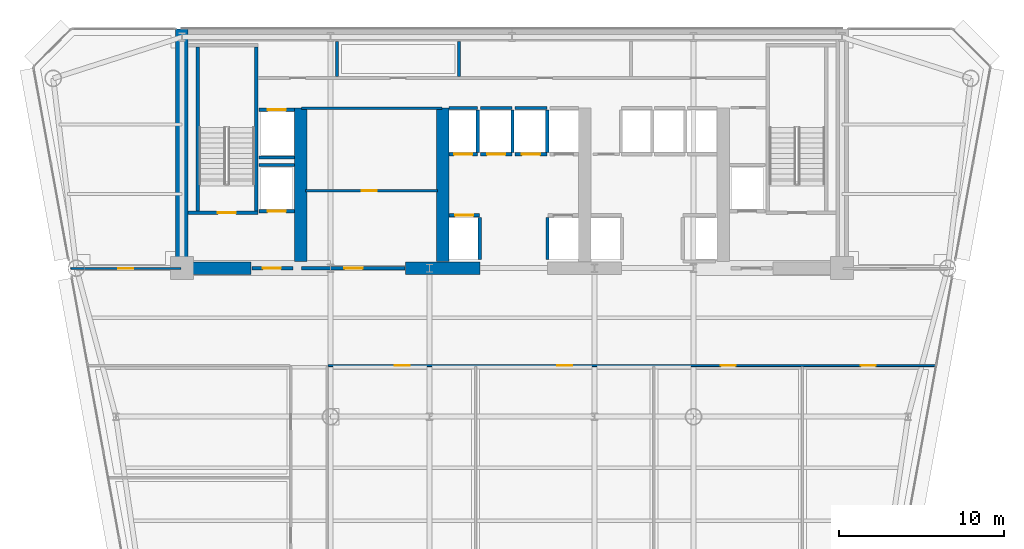
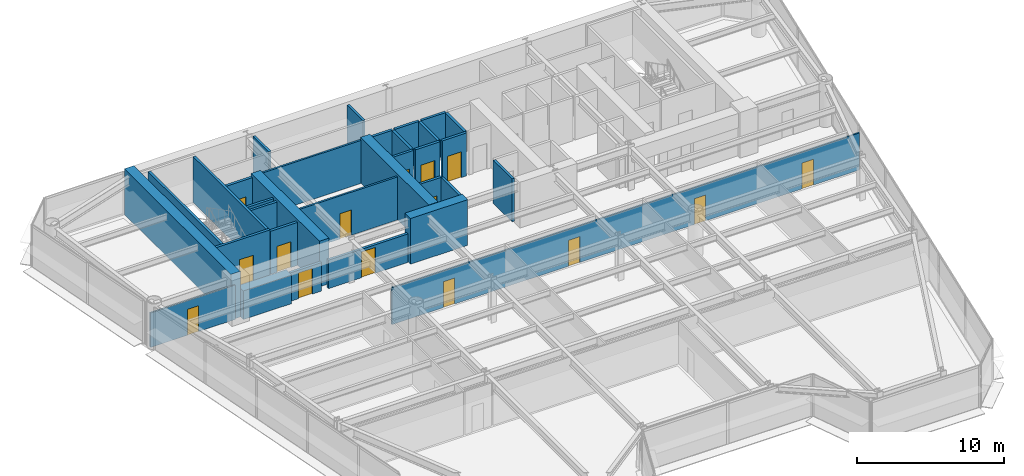
# One storey, part 8 of 14: 32 walls, 15 doors, 15 openings.
"""IFC4 building model written with IfcOpenShell, lengths in metres."""

from ifc_helpers import new_model, si_unit, direction, frame, frame_2d, origin, place, context, subcontext, project, spatial, rectangle, extrude, source, transform, mapped, material, layer, layer_set, type_object, element, fill, save


model = new_model("IFC4")

# Units and contexts
model_context = context("Model", 3, precision=1e-05, world=origin(), true_north=direction((0.0, 1.0)))
body_context = subcontext(model_context, "Body", "Model", "MODEL_VIEW")
ifc_project = project(units=[si_unit("LENGTHUNIT", "METRE"), si_unit("AREAUNIT", "SQUARE_METRE"), si_unit("VOLUMEUNIT", "CUBIC_METRE"), si_unit("PLANEANGLEUNIT", "RADIAN"), si_unit("MASSUNIT", "GRAM", prefix="KILO")], contexts=[model_context])

# Site, building, storey
site_placement = place(None, origin())
site = spatial("IfcSite", under=ifc_project, at=site_placement, CompositionType="ELEMENT")
building_placement = place(site_placement, origin())
building = spatial("IfcBuilding", under=site, at=building_placement, Name="Vaeldorn Concourse Tower", CompositionType="ELEMENT")
storey_placement = place(building_placement, frame((0.0, 0.0, 114.800048828125)))
storey = spatial("IfcBuildingStorey", under=building, at=storey_placement, Name="L29", CompositionType="ELEMENT", Elevation=114.800048828125)

# Walls
ifc_material_1 = material(Name="Concrete C60/75", Category="concrete")
ifc_layer_1 = layer(ifc_material_1, 0.75)
ifc_layer_set_1 = layer_set([ifc_layer_1], Name="Concrete C60/75")
wall_type_1 = type_object("IfcWallType", Name="WL-CORE-750", PredefinedType="SHEAR", material=ifc_layer_set_1)
wall_1_placement = place(storey_placement, frame((14.0, 36.5, 0.0), z_axis=(0.0, 0.0, 1.0), x_axis=(0.0, 1.0, 0.0)))
element("IfcWall", 1, at=wall_1_placement, inside=storey, type_object=wall_type_1, Name="Rear Core Shear Wall L29 W1", PredefinedType="SHEAR", context=body_context, shape_type="SweptSolid", body=[
    extrude(rectangle(XDim=14.5, YDim=0.75, at=frame_2d((7.25, 0.0))), origin(), (0.0, 0.0, 1.0), 3.800048828125),
])
wall_2_placement = place(storey_placement, frame((14.39501953125, 36.5, 0.0), z_axis=(0.0, 0.0, 1.0), x_axis=(1.0, 0.0, 0.0)))
element("IfcWall", 2, at=wall_2_placement, inside=storey, type_object=wall_type_1, Name="Rear Core Shear Wall L29 S1", PredefinedType="SHEAR", context=body_context, shape_type="SweptSolid", body=[
    extrude(rectangle(XDim=3.804931640625, YDim=0.75, at=frame_2d((1.90234375, 0.0))), origin(), (0.0, 0.0, 1.0), 2.3798828125),
])
wall_3_placement = place(storey_placement, frame((27.550048828125, 36.5, 0.0), z_axis=(0.0, 0.0, 1.0), x_axis=(1.0, 0.0, 0.0)))
element("IfcWall", 3, at=wall_3_placement, inside=storey, type_object=wall_type_1, Name="Rear Core Shear Wall L29 S2", PredefinedType="SHEAR", context=body_context, shape_type="SweptSolid", body=[
    extrude(rectangle(XDim=4.5, YDim=0.75, at=frame_2d((2.25, 0.0))), origin(), (0.0, 0.0, 1.0), 3.800048828125),
])
for number, where, z_axis, x_axis, name in (
    (4, (21.199951171875, 36.89501953125, 0.0), (0.0, 0.0, 1.0), (0.0, 1.0, 0.0), "Rear Core Shear Wall L29 M1"),
    (5, (29.800048828125, 36.89501953125, 0.0), (0.0, 0.0, 1.0), (0.0, 1.0, 0.0), "Rear Core Shear Wall L29 M2"),
):
    element("IfcWall", number, at=place(storey_placement, frame(where, z_axis=z_axis, x_axis=x_axis)), inside=storey, type_object=wall_type_1, Name=name, PredefinedType="SHEAR", context=body_context, shape_type="SweptSolid", body=[
        extrude(rectangle(XDim=9.304931640625, YDim=0.75, at=frame_2d((4.65234375, 0.0))), origin(), (0.0, 0.0, 1.0), 3.800048828125),
    ])

# Wall, openings, doors
ifc_material_2 = material(Name="Gypsum Board Partition", Category="gypsum")
ifc_layer_2 = layer(ifc_material_2, 0.1201171875)
ifc_layer_set_2 = layer_set([ifc_layer_2], Name="Gypsum Board Partition")
wall_type_2 = type_object("IfcWallType", Name="WL-PART-120", PredefinedType="PARTITIONING", material=ifc_layer_set_2)
wall_4_placement = place(storey_placement, frame((22.860107421875, 30.60009765625, 0.0), z_axis=(0.0, 0.0, 1.0), x_axis=(1.0, 0.0, 0.0)))
wall_4 = element("IfcWall", 6, at=wall_4_placement, inside=storey, type_object=wall_type_2, Name="Interior Wall PW-L29-C2SE", PredefinedType="PARTITIONING", context=body_context, shape_type="SweptSolid", body=[
    extrude(rectangle(XDim=36.8046875, YDim=0.1201171875, at=frame_2d((18.40234375, 0.0))), origin(), (0.0, 0.0, 1.0), 3.070068359375),
])
opening_1_placement = place(wall_4_placement, frame((4.0400390625, 0.0, 0.0)))
opening_1 = element("IfcOpeningElement", 7, at=opening_1_placement, cuts=wall_4, Name="Opening D-03", PredefinedType="OPENING", context=body_context, shape_type="SweptSolid", body=[
    extrude(rectangle(XDim=0.89990234375, YDim=2.14990234375, at=frame_2d((0.449951171875, 1.074951171875))), frame((0.0, 0.070068359375, 0.0), z_axis=(0.0, -1.0, 0.0), x_axis=(1.0, 0.0, 0.0)), (0.0, 0.0, 1.0), 0.14013671875),
])
opening_2_placement = place(wall_4_placement, frame((13.889892578125, 0.0, 0.0)))
opening_2 = element("IfcOpeningElement", 8, at=opening_2_placement, cuts=wall_4, Name="Opening D-03", PredefinedType="OPENING", context=body_context, shape_type="SweptSolid", body=[
    extrude(rectangle(XDim=0.89990234375, YDim=2.14990234375, at=frame_2d((0.449951171875, 1.074951171875))), frame((0.0, 0.070068359375, 0.0), z_axis=(0.0, -1.0, 0.0), x_axis=(1.0, 0.0, 0.0)), (0.0, 0.0, 1.0), 0.14013671875),
])
opening_3_placement = place(wall_4_placement, frame((23.7900390625, 0.0, 0.0)))
opening_3 = element("IfcOpeningElement", 9, at=opening_3_placement, cuts=wall_4, Name="Opening D-03", PredefinedType="OPENING", context=body_context, shape_type="SweptSolid", body=[
    extrude(rectangle(XDim=0.89990234375, YDim=2.14990234375, at=frame_2d((0.449951171875, 1.074951171875))), frame((0.0, 0.070068359375, 0.0), z_axis=(0.0, -1.0, 0.0), x_axis=(1.0, 0.0, 0.0)), (0.0, 0.0, 1.0), 0.14013671875),
])
opening_4_placement = place(wall_4_placement, frame((32.27197265625, 0.0, 0.0)))
opening_4 = element("IfcOpeningElement", 10, at=opening_4_placement, cuts=wall_4, Name="Opening D-03", PredefinedType="OPENING", context=body_context, shape_type="SweptSolid", body=[
    extrude(rectangle(XDim=0.89990234375, YDim=2.14990234375, at=frame_2d((0.449951171875, 1.074951171875))), frame((0.0, 0.070068359375, 0.0), z_axis=(0.0, -1.0, 0.0), x_axis=(1.0, 0.0, 0.0)), (0.0, 0.0, 1.0), 0.14013671875),
])
ifc_material_3 = material(Name="Acoustic Bronze-Framed Glass Door", Category="glass")
door_type_1 = type_object("IfcDoorType", Name="DR-INT-900", OperationType="NOTDEFINED", PredefinedType="DOOR", material=ifc_material_3)
shared_shape_1 = source(origin(), body_context, "Body", "SweptSolid", [
    extrude(rectangle(XDim=0.89990234375, YDim=2.14990234375, at=frame_2d((0.449951171875, 1.074951171875))), frame((0.0, 0.02490234375, 0.0), z_axis=(0.0, -1.0, 0.0), x_axis=(1.0, 0.0, 0.0)), (0.0, 0.0, 1.0), 0.050048828125),
])
door_1_placement = place(opening_1_placement, origin())
door_1 = element("IfcDoor", 11, at=door_1_placement, inside=storey, type_object=door_type_1, Name="Interior Door DR-L29-Z2E1", OperationType="SINGLE_SWING_RIGHT", OverallHeight=2.14990234375, OverallWidth=0.89990234375, PredefinedType="DOOR", context=body_context, shape_type="MappedRepresentation", body=[
    mapped(shared_shape_1, transform((0.0, 0.0, 0.0), scale=1.0)),
])
fill(opening_1, door_1)
door_2_placement = place(opening_2_placement, origin())
door_2 = element("IfcDoor", 12, at=door_2_placement, inside=storey, type_object=door_type_1, Name="Interior Door DR-L29-Z2E2", OperationType="SINGLE_SWING_LEFT", OverallHeight=2.14990234375, OverallWidth=0.89990234375, PredefinedType="DOOR", context=body_context, shape_type="MappedRepresentation", body=[
    mapped(shared_shape_1, transform((0.0, 0.0, 0.0), scale=1.0)),
])
fill(opening_2, door_2)
door_3_placement = place(opening_3_placement, origin())
door_3 = element("IfcDoor", 13, at=door_3_placement, inside=storey, type_object=door_type_1, Name="Interior Door DR-L29-Z2E3", OperationType="SINGLE_SWING_RIGHT", OverallHeight=2.14990234375, OverallWidth=0.89990234375, PredefinedType="DOOR", context=body_context, shape_type="MappedRepresentation", body=[
    mapped(shared_shape_1, transform((0.0, 0.0, 0.0), scale=1.0)),
])
fill(opening_3, door_3)
door_4_placement = place(opening_4_placement, origin())
door_4 = element("IfcDoor", 14, at=door_4_placement, inside=storey, type_object=door_type_1, Name="Interior Door DR-L29-Z2E4", OperationType="SINGLE_SWING_LEFT", OverallHeight=2.14990234375, OverallWidth=0.89990234375, PredefinedType="DOOR", context=body_context, shape_type="MappedRepresentation", body=[
    mapped(shared_shape_1, transform((0.0, 0.0, 0.0), scale=1.0)),
])
fill(opening_4, door_4)

# Wall, opening, door
wall_5_placement = place(storey_placement, frame((7.270263671875, 36.47998046875, 0.0), z_axis=(0.0, 0.0, 1.0), x_axis=(1.0, 0.0, 0.0)))
wall_5 = element("IfcWall", 15, at=wall_5_placement, inside=storey, type_object=wall_type_2, Name="Interior Wall PW-L29-NWS", PredefinedType="PARTITIONING", context=body_context, shape_type="SweptSolid", body=[
    extrude(rectangle(XDim=6.669677734375, YDim=0.1201171875, at=frame_2d((3.3349609375, 0.0))), origin(), (0.0, 0.0, 1.0), 2.869873046875),
])
opening_5_placement = place(wall_5_placement, frame((2.885009765625, 0.0, 0.0)))
opening_5 = element("IfcOpeningElement", 16, at=opening_5_placement, cuts=wall_5, Name="Opening D-03", PredefinedType="OPENING", context=body_context, shape_type="SweptSolid", body=[
    extrude(rectangle(XDim=0.89990234375, YDim=2.14990234375, at=frame_2d((0.449951171875, 1.074951171875))), frame((0.0, 0.070068359375, 0.0), z_axis=(0.0, -1.0, 0.0), x_axis=(1.0, 0.0, 0.0)), (0.0, 0.0, 1.0), 0.14013671875),
])
door_5_placement = place(opening_5_placement, origin())
door_5 = element("IfcDoor", 17, at=door_5_placement, inside=storey, type_object=door_type_1, Name="Interior Door DR-L29-NWC", OperationType="SINGLE_SWING_LEFT", OverallHeight=2.14990234375, OverallWidth=0.89990234375, PredefinedType="DOOR", context=body_context, shape_type="MappedRepresentation", body=[
    mapped(shared_shape_1, transform((0.0, 0.0, 0.0), scale=1.0)),
])
fill(opening_5, door_5)

# Wall
ifc_layer_3 = layer(ifc_material_2, 0.14990234375)
ifc_layer_set_3 = layer_set([ifc_layer_3], Name="Gypsum Board Partition")
wall_type_3 = type_object("IfcWallType", Name="WL-PART-150", PredefinedType="PARTITIONING", material=ifc_layer_set_3)
wall_6_placement = place(storey_placement, frame((21.25, 46.199951171875, 0.0), z_axis=(0.0, 0.0, 1.0), x_axis=(1.0, 0.0, 0.0)))
element("IfcWall", 18, at=wall_6_placement, inside=storey, type_object=wall_type_3, Name="Interior Wall CW-L29-R1N", PredefinedType="PARTITIONING", context=body_context, shape_type="SweptSolid", body=[
    extrude(rectangle(XDim=8.5, YDim=0.14990234375, at=frame_2d((4.25, 0.0))), origin(), (0.0, 0.0, 1.0), 3.579833984375),
])

# Wall, opening, door
wall_7_placement = place(storey_placement, frame((21.5, 41.199951171875, 0.0), z_axis=(0.0, 0.0, 1.0), x_axis=(1.0, 0.0, 0.0)))
wall_7 = element("IfcWall", 19, at=wall_7_placement, inside=storey, type_object=wall_type_3, Name="Interior Wall CW-L29-R1M", PredefinedType="PARTITIONING", context=body_context, shape_type="SweptSolid", body=[
    extrude(rectangle(XDim=8.0, YDim=0.14990234375, at=frame_2d((4.0, 0.0))), origin(), (0.0, 0.0, 1.0), 3.579833984375),
])
opening_6_placement = place(wall_7_placement, frame((3.39990234375, 0.0, 0.0)))
opening_6 = element("IfcOpeningElement", 20, at=opening_6_placement, cuts=wall_7, Name="Opening D-02", PredefinedType="OPENING", context=body_context, shape_type="SweptSolid", body=[
    extrude(rectangle(XDim=0.89990234375, YDim=2.10009765625, at=frame_2d((0.449951171875, 1.050048828125))), frame((0.0, 0.0849609375, 0.0), z_axis=(0.0, -1.0, 0.0), x_axis=(1.0, 0.0, 0.0)), (0.0, 0.0, 1.0), 0.169921875),
])
ifc_material_4 = material(Name="Fire-Rated Timber Leaf", Category="wood")
door_type_2 = type_object("IfcDoorType", Name="DR-FD30-900", OperationType="NOTDEFINED", PredefinedType="DOOR", material=ifc_material_4)
shared_shape_2 = source(origin(), body_context, "Body", "SweptSolid", [
    extrude(rectangle(XDim=0.89990234375, YDim=2.10009765625, at=frame_2d((0.449951171875, 1.050048828125))), frame((0.0, 0.02490234375, 0.0), z_axis=(0.0, -1.0, 0.0), x_axis=(1.0, 0.0, 0.0)), (0.0, 0.0, 1.0), 0.050048828125),
])
door_6_placement = place(opening_6_placement, origin())
door_6 = element("IfcDoor", 21, at=door_6_placement, inside=storey, type_object=door_type_2, Name="Interior Door DR-L29-R1M", OperationType="SINGLE_SWING_RIGHT", OverallHeight=2.10009765625, OverallWidth=0.89990234375, PredefinedType="DOOR", context=body_context, shape_type="MappedRepresentation", body=[
    mapped(shared_shape_2, transform((0.0, 0.0, 0.0), scale=1.0)),
])
fill(opening_6, door_6)

# Walls
ifc_layer_4 = layer(ifc_material_2, 0.179931640625)
ifc_layer_set_4 = layer_set([ifc_layer_4], Name="Gypsum Board Partition")
wall_type_4 = type_object("IfcWallType", Name="WL-PLUMB-180", PredefinedType="PLUMBINGWALL", material=ifc_layer_set_4)
for number, where, z_axis, x_axis, name in (
    (22, (23.39990234375, 48.10009765625, 0.0), (0.0, 0.0, 1.0), (0.0, 1.0, 0.0), "Interior Wall CW-L29-NDIV1"),
    (23, (30.800048828125, 48.10009765625, 0.0), (0.0, 0.0, 1.0), (0.0, 1.0, 0.0), "Interior Wall CW-L29-NDIV2"),
):
    element("IfcWall", number, at=place(storey_placement, frame(where, z_axis=z_axis, x_axis=x_axis)), inside=storey, type_object=wall_type_4, Name=name, PredefinedType="PLUMBINGWALL", context=body_context, shape_type="SweptSolid", body=[
        extrude(rectangle(XDim=2.1298828125, YDim=0.179931640625, at=frame_2d((1.06494140625, 0.0))), origin(), (0.0, 0.0, 1.0), 3.579833984375),
    ])

# Wall, opening, door
ifc_material_5 = material(Name="Concrete C50/60", Category="concrete")
ifc_layer_5 = layer(ifc_material_5, 0.199951171875)
ifc_layer_set_5 = layer_set([ifc_layer_5], Name="Concrete C50/60")
wall_type_5 = type_object("IfcWallType", Name="WL-SHAFT-200", PredefinedType="SOLIDWALL", material=ifc_layer_set_5)
wall_8_placement = place(storey_placement, frame((14.375, 39.85009765625, 0.0), z_axis=(0.0, 0.0, 1.0), x_axis=(1.0, 0.0, 0.0)))
wall_8 = element("IfcWall", 24, at=wall_8_placement, inside=storey, type_object=wall_type_5, Name="Stair Shaft Wall CW-L29-ST-1-S", PredefinedType="SOLIDWALL", context=body_context, shape_type="SweptSolid", body=[
    extrude(rectangle(XDim=4.22509765625, YDim=0.199951171875, at=frame_2d((2.112548828125, 0.0))), origin(), (0.0, 0.0, 1.0), 3.800048828125),
])
opening_7_placement = place(wall_8_placement, frame((1.800048828125, 0.0, 0.0)))
opening_7 = element("IfcOpeningElement", 25, at=opening_7_placement, cuts=wall_8, Name="Opening D-01", PredefinedType="OPENING", context=body_context, shape_type="SweptSolid", body=[
    extrude(rectangle(XDim=1.10009765625, YDim=2.14990234375, at=frame_2d((0.550048828125, 1.074951171875))), frame((0.0, 0.10986328125, 0.0), z_axis=(0.0, -1.0, 0.0), x_axis=(1.0, 0.0, 0.0)), (0.0, 0.0, 1.0), 0.219970703125),
])
ifc_material_6 = material(Name="Fire-Rated Timber and Steel Leaf", Category="steel")
door_type_3 = type_object("IfcDoorType", Name="DR-FD60-1100", OperationType="NOTDEFINED", PredefinedType="DOOR", material=ifc_material_6)
shared_shape_3 = source(origin(), body_context, "Body", "SweptSolid", [
    extrude(rectangle(XDim=1.10009765625, YDim=2.14990234375, at=frame_2d((0.550048828125, 1.074951171875))), frame((0.0, 0.02490234375, 0.0), z_axis=(0.0, -1.0, 0.0), x_axis=(1.0, 0.0, 0.0)), (0.0, 0.0, 1.0), 0.050048828125),
])
door_7_placement = place(opening_7_placement, origin())
door_7 = element("IfcDoor", 26, at=door_7_placement, inside=storey, type_object=door_type_3, Name="Interior Door DR-L29-ST-1", OperationType="SINGLE_SWING_LEFT", OverallHeight=2.14990234375, OverallWidth=1.10009765625, PredefinedType="DOOR", context=body_context, shape_type="MappedRepresentation", body=[
    mapped(shared_shape_3, transform((0.0, 0.0, 0.0), scale=1.0)),
])
fill(opening_7, door_7)

# Walls
for number, where, z_axis, x_axis, name in (
    (27, (14.949951171875, 39.9599609375, 0.0), (0.0, 0.0, 1.0), (0.0, 1.0, 0.0), "Stair Shaft Wall CW-L29-ST-1-W"),
    (28, (18.5, 39.9599609375, 0.0), (0.0, 0.0, 1.0), (0.0, 1.0, 0.0), "Stair Shaft Wall CW-L29-ST-1-E"),
):
    element("IfcWall", number, at=place(storey_placement, frame(where, z_axis=z_axis, x_axis=x_axis)), inside=storey, type_object=wall_type_5, Name=name, PredefinedType="SOLIDWALL", context=body_context, shape_type="SweptSolid", body=[
        extrude(rectangle(XDim=9.929931640625, YDim=0.199951171875, at=frame_2d((4.96484375, 0.0))), origin(), (0.0, 0.0, 1.0), 3.800048828125),
    ])

# Wall, opening, door
wall_9_placement = place(storey_placement, frame((18.25, 36.5, 0.0), z_axis=(0.0, 0.0, 1.0), x_axis=(1.0, 0.0, 0.0)))
wall_9 = element("IfcWall", 29, at=wall_9_placement, inside=storey, type_object=wall_type_5, Name="Interior Wall CW-L29-FF1S", PredefinedType="SOLIDWALL", context=body_context, shape_type="SweptSolid", body=[
    extrude(rectangle(XDim=2.469970703125, YDim=0.199951171875, at=frame_2d((1.23486328125, 0.0))), origin(), (0.0, 0.0, 1.0), 2.369873046875),
])
opening_8_placement = place(wall_9_placement, frame((0.64990234375, 0.0, 0.0)))
opening_8 = element("IfcOpeningElement", 30, at=opening_8_placement, cuts=wall_9, Name="Opening D-01", PredefinedType="OPENING", context=body_context, shape_type="SweptSolid", body=[
    extrude(rectangle(XDim=1.10009765625, YDim=2.14990234375, at=frame_2d((0.550048828125, 1.074951171875))), frame((0.0, 0.10986328125, 0.0), z_axis=(0.0, -1.0, 0.0), x_axis=(1.0, 0.0, 0.0)), (0.0, 0.0, 1.0), 0.219970703125),
])
door_8_placement = place(opening_8_placement, origin())
door_8 = element("IfcDoor", 31, at=door_8_placement, inside=storey, type_object=door_type_3, Name="Interior Door DR-L29-FF1E", OperationType="SINGLE_SWING_RIGHT", OverallHeight=2.14990234375, OverallWidth=1.10009765625, PredefinedType="DOOR", context=body_context, shape_type="MappedRepresentation", body=[
    mapped(shared_shape_3, transform((0.0, 0.0, 0.0), scale=1.0)),
])
fill(opening_8, door_8)

wall_10_placement = place(storey_placement, frame((30.18505859375, 39.699951171875, 0.0), z_axis=(0.0, 0.0, 1.0), x_axis=(1.0, 0.0, 0.0)))
wall_10 = element("IfcWall", 32, at=wall_10_placement, inside=storey, type_object=wall_type_5, Name="Interior Wall CW-L29-LF-LF-07", PredefinedType="SOLIDWALL", context=body_context, shape_type="SweptSolid", body=[
    extrude(rectangle(XDim=1.844970703125, YDim=0.199951171875, at=frame_2d((0.92236328125, 0.0))), origin(), (0.0, 0.0, 1.0), 3.579833984375),
])
opening_9_placement = place(wall_10_placement, frame((0.373046875, 0.0, 0.0)))
opening_9 = element("IfcOpeningElement", 33, at=opening_9_placement, cuts=wall_10, Name="Opening LD-1", PredefinedType="OPENING", context=body_context, shape_type="SweptSolid", body=[
    extrude(rectangle(XDim=1.10009765625, YDim=2.14990234375, at=frame_2d((0.550048828125, 1.074951171875))), frame((0.0, 0.10986328125, 0.0), z_axis=(0.0, -1.0, 0.0), x_axis=(1.0, 0.0, 0.0)), (0.0, 0.0, 1.0), 0.219970703125),
])
ifc_material_7 = material(Name="Anodised Bronze Aluminium", Category="aluminium")
door_type_4 = type_object("IfcDoorType", Name="DR-LIFT-SLIDE-1100", OperationType="DOUBLE_DOOR_SLIDING", PredefinedType="DOOR", material=ifc_material_7)
door_9_placement = place(opening_9_placement, origin())
door_9 = element("IfcDoor", 34, at=door_9_placement, inside=storey, type_object=door_type_4, Name="Lift Landing Door LD-L29-LF-07", OperationType="DOUBLE_DOOR_SLIDING", OverallHeight=2.14990234375, OverallWidth=1.10009765625, PredefinedType="DOOR", context=body_context, shape_type="MappedRepresentation", body=[
    mapped(shared_shape_3, transform((0.0, 0.0, 0.0), scale=1.0)),
])
fill(opening_9, door_9)

# Walls
for number, where, z_axis, x_axis, name in (
    (35, (32.050048828125, 37.02001953125, 0.0), (0.0, 0.0, 1.0), (0.0, 1.0, 0.0), "Interior Wall CW-L29-LFE-LF-07"),
    (36, (36.14990234375, 37.02001953125, 0.0), (0.0, 0.0, 1.0), (0.0, 1.0, 0.0), "Interior Wall CW-L29-LFW-LF-08"),
):
    element("IfcWall", number, at=place(storey_placement, frame(where, z_axis=z_axis, x_axis=x_axis)), inside=storey, type_object=wall_type_5, Name=name, PredefinedType="SOLIDWALL", context=body_context, shape_type="SweptSolid", body=[
        extrude(rectangle(XDim=2.56005859375, YDim=0.199951171875, at=frame_2d((1.280029296875, 0.0))), origin(), (0.0, 0.0, 1.0), 3.579833984375),
    ])

# Wall, opening, door
wall_11_placement = place(storey_placement, frame((30.18505859375, 43.39990234375, 0.0), z_axis=(0.0, 0.0, 1.0), x_axis=(1.0, 0.0, 0.0)))
wall_11 = element("IfcWall", 37, at=wall_11_placement, inside=storey, type_object=wall_type_5, Name="Interior Wall CW-L29-LF-LF-09", PredefinedType="SOLIDWALL", context=body_context, shape_type="SweptSolid", body=[
    extrude(rectangle(XDim=1.724853515625, YDim=0.199951171875, at=frame_2d((0.8623046875, 0.0))), origin(), (0.0, 0.0, 1.0), 3.579833984375),
])
opening_10_placement = place(wall_11_placement, frame((0.31298828125, 0.0, 0.0)))
opening_10 = element("IfcOpeningElement", 38, at=opening_10_placement, cuts=wall_11, Name="Opening LD-1", PredefinedType="OPENING", context=body_context, shape_type="SweptSolid", body=[
    extrude(rectangle(XDim=1.10009765625, YDim=2.14990234375, at=frame_2d((0.550048828125, 1.074951171875))), frame((0.0, 0.10986328125, 0.0), z_axis=(0.0, -1.0, 0.0), x_axis=(1.0, 0.0, 0.0)), (0.0, 0.0, 1.0), 0.219970703125),
])
door_10_placement = place(opening_10_placement, origin())
door_10 = element("IfcDoor", 39, at=door_10_placement, inside=storey, type_object=door_type_4, Name="Lift Landing Door LD-L29-LF-09", OperationType="DOUBLE_DOOR_SLIDING", OverallHeight=2.14990234375, OverallWidth=1.10009765625, PredefinedType="DOOR", context=body_context, shape_type="MappedRepresentation", body=[
    mapped(shared_shape_3, transform((0.0, 0.0, 0.0), scale=1.0)),
])
fill(opening_10, door_10)

# Walls
wall_12_placement = place(storey_placement, frame((30.18505859375, 46.199951171875, 0.0), z_axis=(0.0, 0.0, 1.0), x_axis=(1.0, 0.0, 0.0)))
element("IfcWall", 40, at=wall_12_placement, inside=storey, type_object=wall_type_5, Name="Interior Wall CW-L29-LFB-LF-09", PredefinedType="SOLIDWALL", context=body_context, shape_type="SweptSolid", body=[
    extrude(rectangle(XDim=1.724853515625, YDim=0.199951171875, at=frame_2d((0.8623046875, 0.0))), origin(), (0.0, 0.0, 1.0), 3.579833984375),
])
wall_13_placement = place(storey_placement, frame((31.929931640625, 43.52001953125, 0.0), z_axis=(0.0, 0.0, 1.0), x_axis=(0.0, 1.0, 0.0)))
element("IfcWall", 41, at=wall_13_placement, inside=storey, type_object=wall_type_5, Name="Interior Wall CW-L29-LFE-LF-09", PredefinedType="SOLIDWALL", context=body_context, shape_type="SweptSolid", body=[
    extrude(rectangle(XDim=2.56005859375, YDim=0.199951171875, at=frame_2d((1.280029296875, 0.0))), origin(), (0.0, 0.0, 1.0), 3.579833984375),
])

# Wall, opening, door
wall_14_placement = place(storey_placement, frame((32.090087890625, 43.39990234375, 0.0), z_axis=(0.0, 0.0, 1.0), x_axis=(1.0, 0.0, 0.0)))
wall_14 = element("IfcWall", 42, at=wall_14_placement, inside=storey, type_object=wall_type_5, Name="Interior Wall CW-L29-LF-LF-10", PredefinedType="SOLIDWALL", context=body_context, shape_type="SweptSolid", body=[
    extrude(rectangle(XDim=1.919921875, YDim=0.199951171875, at=frame_2d((0.9599609375, 0.0))), origin(), (0.0, 0.0, 1.0), 3.579833984375),
])
opening_11_placement = place(wall_14_placement, frame((0.409912109375, 0.0, 0.0)))
opening_11 = element("IfcOpeningElement", 43, at=opening_11_placement, cuts=wall_14, Name="Opening LD-1", PredefinedType="OPENING", context=body_context, shape_type="SweptSolid", body=[
    extrude(rectangle(XDim=1.10009765625, YDim=2.14990234375, at=frame_2d((0.550048828125, 1.074951171875))), frame((0.0, 0.10986328125, 0.0), z_axis=(0.0, -1.0, 0.0), x_axis=(1.0, 0.0, 0.0)), (0.0, 0.0, 1.0), 0.219970703125),
])
door_11_placement = place(opening_11_placement, origin())
door_11 = element("IfcDoor", 44, at=door_11_placement, inside=storey, type_object=door_type_4, Name="Lift Landing Door LD-L29-LF-10", OperationType="DOUBLE_DOOR_SLIDING", OverallHeight=2.14990234375, OverallWidth=1.10009765625, PredefinedType="DOOR", context=body_context, shape_type="MappedRepresentation", body=[
    mapped(shared_shape_3, transform((0.0, 0.0, 0.0), scale=1.0)),
])
fill(opening_11, door_11)

# Walls
wall_15_placement = place(storey_placement, frame((32.090087890625, 46.199951171875, 0.0), z_axis=(0.0, 0.0, 1.0), x_axis=(1.0, 0.0, 0.0)))
element("IfcWall", 45, at=wall_15_placement, inside=storey, type_object=wall_type_5, Name="Interior Wall CW-L29-LFB-LF-10", PredefinedType="SOLIDWALL", context=body_context, shape_type="SweptSolid", body=[
    extrude(rectangle(XDim=1.919921875, YDim=0.199951171875, at=frame_2d((0.9599609375, 0.0))), origin(), (0.0, 0.0, 1.0), 3.579833984375),
])
wall_16_placement = place(storey_placement, frame((34.030029296875, 43.52001953125, 0.0), z_axis=(0.0, 0.0, 1.0), x_axis=(0.0, 1.0, 0.0)))
element("IfcWall", 46, at=wall_16_placement, inside=storey, type_object=wall_type_5, Name="Interior Wall CW-L29-LFE-LF-10", PredefinedType="SOLIDWALL", context=body_context, shape_type="SweptSolid", body=[
    extrude(rectangle(XDim=2.56005859375, YDim=0.199951171875, at=frame_2d((1.280029296875, 0.0))), origin(), (0.0, 0.0, 1.0), 3.579833984375),
])

# Wall, opening, door
wall_17_placement = place(storey_placement, frame((34.18994140625, 43.39990234375, 0.0), z_axis=(0.0, 0.0, 1.0), x_axis=(1.0, 0.0, 0.0)))
wall_17 = element("IfcWall", 47, at=wall_17_placement, inside=storey, type_object=wall_type_5, Name="Interior Wall CW-L29-LF-LF-11", PredefinedType="SOLIDWALL", context=body_context, shape_type="SweptSolid", body=[
    extrude(rectangle(XDim=1.920166015625, YDim=0.199951171875, at=frame_2d((0.9599609375, 0.0))), origin(), (0.0, 0.0, 1.0), 3.579833984375),
])
opening_12_placement = place(wall_17_placement, frame((0.409912109375, 0.0, 0.0)))
opening_12 = element("IfcOpeningElement", 48, at=opening_12_placement, cuts=wall_17, Name="Opening LD-1", PredefinedType="OPENING", context=body_context, shape_type="SweptSolid", body=[
    extrude(rectangle(XDim=1.10009765625, YDim=2.14990234375, at=frame_2d((0.550048828125, 1.074951171875))), frame((0.0, 0.10986328125, 0.0), z_axis=(0.0, -1.0, 0.0), x_axis=(1.0, 0.0, 0.0)), (0.0, 0.0, 1.0), 0.219970703125),
])
door_12_placement = place(opening_12_placement, origin())
door_12 = element("IfcDoor", 49, at=door_12_placement, inside=storey, type_object=door_type_4, Name="Lift Landing Door LD-L29-LF-11", OperationType="DOUBLE_DOOR_SLIDING", OverallHeight=2.14990234375, OverallWidth=1.10009765625, PredefinedType="DOOR", context=body_context, shape_type="MappedRepresentation", body=[
    mapped(shared_shape_3, transform((0.0, 0.0, 0.0), scale=1.0)),
])
fill(opening_12, door_12)

# Walls
wall_18_placement = place(storey_placement, frame((34.18994140625, 46.199951171875, 0.0), z_axis=(0.0, 0.0, 1.0), x_axis=(1.0, 0.0, 0.0)))
element("IfcWall", 50, at=wall_18_placement, inside=storey, type_object=wall_type_5, Name="Interior Wall CW-L29-LFB-LF-11", PredefinedType="SOLIDWALL", context=body_context, shape_type="SweptSolid", body=[
    extrude(rectangle(XDim=1.920166015625, YDim=0.199951171875, at=frame_2d((0.9599609375, 0.0))), origin(), (0.0, 0.0, 1.0), 3.579833984375),
])
wall_19_placement = place(storey_placement, frame((36.1298828125, 43.52001953125, 0.0), z_axis=(0.0, 0.0, 1.0), x_axis=(0.0, 1.0, 0.0)))
element("IfcWall", 51, at=wall_19_placement, inside=storey, type_object=wall_type_5, Name="Interior Wall CW-L29-LFE-LF-11", PredefinedType="SOLIDWALL", context=body_context, shape_type="SweptSolid", body=[
    extrude(rectangle(XDim=2.56005859375, YDim=0.199951171875, at=frame_2d((1.280029296875, 0.0))), origin(), (0.0, 0.0, 1.0), 3.579833984375),
])

# Wall, opening, door
wall_20_placement = place(storey_placement, frame((18.669921875, 46.10009765625, 0.0), z_axis=(0.0, 0.0, 1.0), x_axis=(1.0, 0.0, 0.0)))
wall_20 = element("IfcWall", 52, at=wall_20_placement, inside=storey, type_object=wall_type_5, Name="Interior Wall CW-L29-LF-LF-SV1", PredefinedType="SOLIDWALL", context=body_context, shape_type="SweptSolid", body=[
    extrude(rectangle(XDim=2.14501953125, YDim=0.199951171875, at=frame_2d((1.072509765625, 0.0))), origin(), (0.0, 0.0, 1.0), 3.579833984375),
])
opening_13_placement = place(wall_20_placement, frame((0.52197265625, 0.0, 0.0)))
opening_13 = element("IfcOpeningElement", 53, at=opening_13_placement, cuts=wall_20, Name="Opening LD-1", PredefinedType="OPENING", context=body_context, shape_type="SweptSolid", body=[
    extrude(rectangle(XDim=1.10009765625, YDim=2.14990234375, at=frame_2d((0.550048828125, 1.074951171875))), frame((0.0, 0.10986328125, 0.0), z_axis=(0.0, -1.0, 0.0), x_axis=(1.0, 0.0, 0.0)), (0.0, 0.0, 1.0), 0.219970703125),
])
door_13_placement = place(opening_13_placement, origin())
door_13 = element("IfcDoor", 54, at=door_13_placement, inside=storey, type_object=door_type_4, Name="Lift Landing Door LD-L29-LF-SV1", OperationType="DOUBLE_DOOR_SLIDING", OverallHeight=2.14990234375, OverallWidth=1.10009765625, PredefinedType="DOOR", context=body_context, shape_type="MappedRepresentation", body=[
    mapped(shared_shape_3, transform((0.0, 0.0, 0.0), scale=1.0)),
])
fill(opening_13, door_13)

# Wall
wall_21_placement = place(storey_placement, frame((18.669921875, 43.199951171875, 0.0), z_axis=(0.0, 0.0, 1.0), x_axis=(1.0, 0.0, 0.0)))
element("IfcWall", 55, at=wall_21_placement, inside=storey, type_object=wall_type_5, Name="Interior Wall CW-L29-LFB-LF-SV1", PredefinedType="SOLIDWALL", context=body_context, shape_type="SweptSolid", body=[
    extrude(rectangle(XDim=2.14501953125, YDim=0.199951171875, at=frame_2d((1.072509765625, 0.0))), origin(), (0.0, 0.0, 1.0), 3.579833984375),
])

# Wall, opening, door
wall_22_placement = place(storey_placement, frame((18.669921875, 39.949951171875, 0.0), z_axis=(0.0, 0.0, 1.0), x_axis=(1.0, 0.0, 0.0)))
wall_22 = element("IfcWall", 56, at=wall_22_placement, inside=storey, type_object=wall_type_5, Name="Interior Wall CW-L29-LF-LF-FF1", PredefinedType="SOLIDWALL", context=body_context, shape_type="SweptSolid", body=[
    extrude(rectangle(XDim=2.14501953125, YDim=0.199951171875, at=frame_2d((1.072509765625, 0.0))), origin(), (0.0, 0.0, 1.0), 3.579833984375),
])
opening_14_placement = place(wall_22_placement, frame((0.52197265625, 0.0, 0.0)))
opening_14 = element("IfcOpeningElement", 57, at=opening_14_placement, cuts=wall_22, Name="Opening LD-1", PredefinedType="OPENING", context=body_context, shape_type="SweptSolid", body=[
    extrude(rectangle(XDim=1.10009765625, YDim=2.14990234375, at=frame_2d((0.550048828125, 1.074951171875))), frame((0.0, 0.10986328125, 0.0), z_axis=(0.0, -1.0, 0.0), x_axis=(1.0, 0.0, 0.0)), (0.0, 0.0, 1.0), 0.219970703125),
])
door_14_placement = place(opening_14_placement, origin())
door_14 = element("IfcDoor", 58, at=door_14_placement, inside=storey, type_object=door_type_4, Name="Lift Landing Door LD-L29-LF-FF1", OperationType="DOUBLE_DOOR_SLIDING", OverallHeight=2.14990234375, OverallWidth=1.10009765625, PredefinedType="DOOR", context=body_context, shape_type="MappedRepresentation", body=[
    mapped(shared_shape_3, transform((0.0, 0.0, 0.0), scale=1.0)),
])
fill(opening_14, door_14)

# Wall
wall_23_placement = place(storey_placement, frame((18.669921875, 42.75, 0.0), z_axis=(0.0, 0.0, 1.0), x_axis=(1.0, 0.0, 0.0)))
element("IfcWall", 59, at=wall_23_placement, inside=storey, type_object=wall_type_5, Name="Interior Wall CW-L29-LFB-LF-FF1", PredefinedType="SOLIDWALL", context=body_context, shape_type="SweptSolid", body=[
    extrude(rectangle(XDim=2.14501953125, YDim=0.199951171875, at=frame_2d((1.072509765625, 0.0))), origin(), (0.0, 0.0, 1.0), 3.579833984375),
])

# Wall, opening, door
wall_24_placement = place(storey_placement, frame((21.25, 36.5, 0.0), z_axis=(0.0, 0.0, 1.0), x_axis=(1.0, 0.0, 0.0)))
wall_24 = element("IfcWall", 60, at=wall_24_placement, inside=storey, type_object=wall_type_5, Name="Interior Wall CW-L29-R1S", PredefinedType="SOLIDWALL", context=body_context, shape_type="SweptSolid", body=[
    extrude(rectangle(XDim=6.27001953125, YDim=0.199951171875, at=frame_2d((3.135009765625, 0.0))), origin(), (0.0, 0.0, 1.0), 2.369873046875),
])
opening_15_placement = place(wall_24_placement, frame((2.60009765625, 0.0, 0.0)))
opening_15 = element("IfcOpeningElement", 61, at=opening_15_placement, cuts=wall_24, Name="Opening D-01", PredefinedType="OPENING", context=body_context, shape_type="SweptSolid", body=[
    extrude(rectangle(XDim=1.10009765625, YDim=2.14990234375, at=frame_2d((0.550048828125, 1.074951171875))), frame((0.0, 0.10986328125, 0.0), z_axis=(0.0, -1.0, 0.0), x_axis=(1.0, 0.0, 0.0)), (0.0, 0.0, 1.0), 0.219970703125),
])
door_15_placement = place(opening_15_placement, origin())
door_15 = element("IfcDoor", 62, at=door_15_placement, inside=storey, type_object=door_type_3, Name="Interior Door DR-L29-R1S", OperationType="SINGLE_SWING_LEFT", OverallHeight=2.14990234375, OverallWidth=1.10009765625, PredefinedType="DOOR", context=body_context, shape_type="MappedRepresentation", body=[
    mapped(shared_shape_3, transform((0.0, 0.0, 0.0), scale=1.0)),
])
fill(opening_15, door_15)

save(model, "model.ifc")
